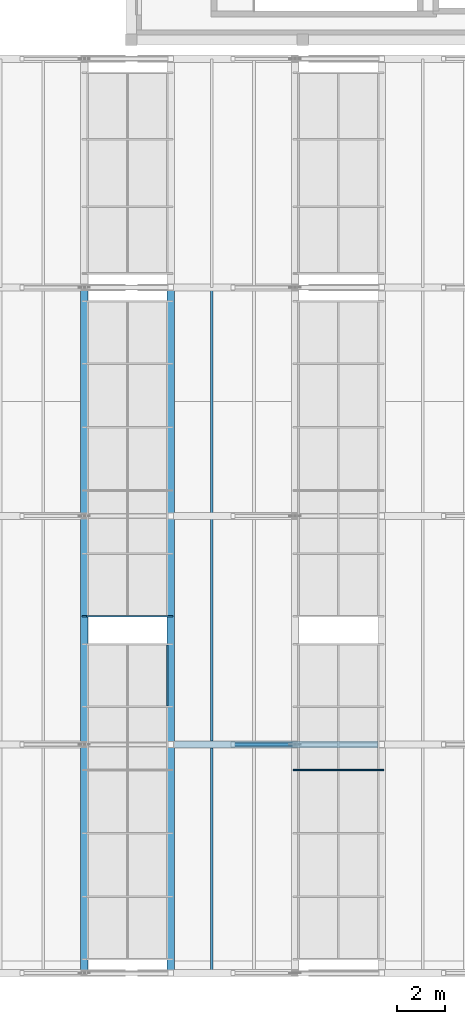
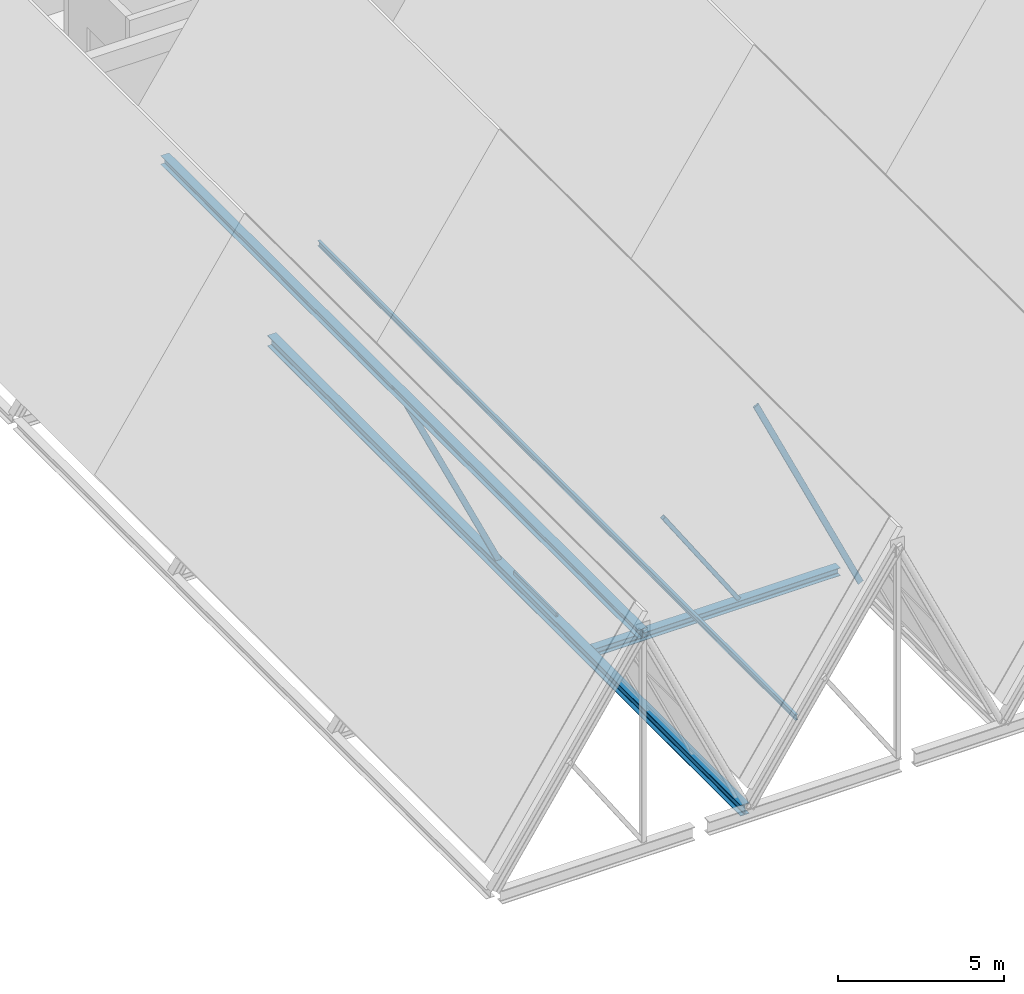
# One storey, part 40 of 99: 6 members, 2 beams, 3 elements without a shape of their own.
"""IFC4 building model written with IfcOpenShell, lengths in metres."""

import ifcopenshell
import ifcopenshell.guid

model = None  # the IFC model being written
_history = None  # IfcOwnerHistory: only IFC2X3 demands one
_inside = {}  # id of a spatial element -> (the spatial element, [elements in it])
_under = {}  # id of a project, library or spatial element -> (it, [spatial elements below it])
_declared = {}  # id of a project -> (the project, [libraries it declares])
_typed = {}  # id of a type object -> (the type object, [elements of that type])
_made_of = {}  # id of a material, layer set ... -> (it, [elements and type objects made of it])


def new_model(schema):
    """Start an empty IFC model of exactly this schema.

    Asked for "IFC4X3", IfcOpenShell would pick the latest addendum, in which some entities
    have other attributes; the version numbers below select the first issue.
    IFC2X3 requires an IfcOwnerHistory on every rooted entity: one is made here for all.
    """
    global model, _history
    if schema == "IFC4X3":
        model = ifcopenshell.file(schema_version=(4, 3, 0, 0))
    else:
        model = ifcopenshell.file(schema=schema)
    _inside.clear()
    _under.clear()
    _declared.clear()
    _typed.clear()
    _made_of.clear()
    _history = None
    if model.schema == "IFC2X3":
        org = make("IfcOrganization", Name="unknown")
        user = make(
            "IfcPersonAndOrganization",
            ThePerson=make("IfcPerson", FamilyName="unknown"),
            TheOrganization=org,
        )
        app = make(
            "IfcApplication",
            ApplicationDeveloper=org,
            Version="unknown",
            ApplicationFullName="unknown",
            ApplicationIdentifier="unknown",
        )
        _history = make(
            "IfcOwnerHistory",
            OwningUser=user,
            OwningApplication=app,
            ChangeAction="ADDED",
            CreationDate=0,
        )
    return model


def make(cls, **values):
    """One entity of the class cls with the attributes given. An attribute that is None is left unset."""
    return model.create_entity(
        cls, **{name: value for name, value in values.items() if value is not None}
    )


def rooted(cls, **values):
    """An entity with a GlobalId (a new one), such as an element, a storey or a relation."""
    return make(cls, GlobalId=ifcopenshell.guid.new(), OwnerHistory=_history, **values)


def si_unit(unit_type, name, prefix=None):
    """IfcSIUnit, for example si_unit("LENGTHUNIT", "METRE", prefix="MILLI")."""
    return make("IfcSIUnit", UnitType=unit_type, Prefix=prefix, Name=name)


def assignment(units):
    """IfcUnitAssignment: the units of a project."""
    return None if units is None else make("IfcUnitAssignment", Units=units)


def point(xyz):
    """IfcCartesianPoint."""
    return None if xyz is None else make("IfcCartesianPoint", Coordinates=xyz)


def direction(xyz):
    """IfcDirection."""
    return None if xyz is None else make("IfcDirection", DirectionRatios=xyz)


def frame(location, z_axis=None, x_axis=None):
    """IfcAxis2Placement3D, a coordinate frame: its origin and axes. An axis left out is left unset."""
    return make(
        "IfcAxis2Placement3D",
        Location=point(location),
        Axis=direction(z_axis),
        RefDirection=direction(x_axis),
    )


def frame_2d(location, x_axis=None):
    """IfcAxis2Placement2D, a coordinate frame in the plane: its origin and x axis."""
    return make(
        "IfcAxis2Placement2D", Location=point(location), RefDirection=direction(x_axis)
    )


def origin():
    """The frame at (0, 0, 0) with its axes left unset."""
    return frame((0.0, 0.0, 0.0))


def origin_2d():
    """The frame at (0, 0) in the plane with its x axis left unset."""
    return frame_2d((0.0, 0.0))


def place(relative_to, where):
    """IfcLocalPlacement: puts the frame where relative to a parent placement (None: the world)."""
    return make(
        "IfcLocalPlacement", PlacementRelTo=relative_to, RelativePlacement=where
    )


def context(
    kind, dimensions, precision=None, world=None, true_north=None, identifier=None
):
    """IfcGeometricRepresentationContext, for example the 3D "Model" context."""
    return make(
        "IfcGeometricRepresentationContext",
        ContextIdentifier=identifier,
        ContextType=kind,
        CoordinateSpaceDimension=dimensions,
        Precision=precision,
        WorldCoordinateSystem=world,
        TrueNorth=true_north,
    )


def subcontext(parent, identifier, kind, view, scale=None):
    """IfcGeometricRepresentationSubContext, for example "Body" below "Model"."""
    return make(
        "IfcGeometricRepresentationSubContext",
        ContextIdentifier=identifier,
        ContextType=kind,
        ParentContext=parent,
        TargetScale=scale,
        TargetView=view,
    )


def project(units=None, contexts=None):
    """IfcProject with its units and contexts."""
    return rooted(
        "IfcProject",
        Name="project",
        RepresentationContexts=contexts,
        UnitsInContext=assignment(units),
    )


def spatial(cls, under=None, at=None, **own):
    """A site, building, storey or space (cls), placed at a placement, below another one or the project."""
    s = rooted(cls, ObjectPlacement=at, **own)
    if under is not None:
        _under.setdefault(under.id(), (under, []))[1].append(s)
    return s


def profile(cls, at=None, kind="AREA", **sizes):
    """A parametric profile (cls). Its sizes go by their IFC names, for example OverallWidth=200.0."""
    return make(cls, ProfileType=kind, Position=at, **sizes)


def hollow_rectangle(**sizes):
    """IfcRectangleHollowProfileDef."""
    return profile("IfcRectangleHollowProfileDef", **sizes)


def i_section(**sizes):
    """IfcIShapeProfileDef."""
    return profile("IfcIShapeProfileDef", **sizes)


def extrude(swept, where, along, depth):
    """IfcExtrudedAreaSolid: the profile swept, set in the frame where, extruded along a direction by depth."""
    return make(
        "IfcExtrudedAreaSolid",
        SweptArea=swept,
        Position=where,
        ExtrudedDirection=direction(along),
        Depth=depth,
    )


def shape(context_of_items, identifier, shape_type, items):
    """IfcShapeRepresentation: the items that make up one representation, for example the "Body"."""
    return make(
        "IfcShapeRepresentation",
        ContextOfItems=context_of_items,
        RepresentationIdentifier=identifier,
        RepresentationType=shape_type,
        Items=items,
    )


def material(Name=None, Category=None):
    """IfcMaterial."""
    return make("IfcMaterial", Name=Name, Category=Category)


def material_profile(
    of_material, cross_section, Name=None, Category=None, Priority=None
):
    """IfcMaterialProfile: a cross section and its material."""
    return make(
        "IfcMaterialProfile",
        Name=Name,
        Material=of_material,
        Profile=cross_section,
        Priority=Priority,
        Category=Category,
    )


def profile_set(profiles, Name=None, composite=None):
    """IfcMaterialProfileSet."""
    return make(
        "IfcMaterialProfileSet",
        Name=Name,
        MaterialProfiles=profiles,
        CompositeProfile=composite,
    )


def made_of(thing, what):
    """Note that an element or type object is made of a material, layer set ...; save() writes the relation."""
    if what is not None:
        _made_of.setdefault(what.id(), (what, []))[1].append(thing)
    return thing


def type_object(cls, material=None, **own):
    """A type object (cls), such as IfcWallType, which elements share."""
    return made_of(rooted(cls, **own), material)


def element(
    cls,
    number,
    at=None,
    inside=None,
    cuts=None,
    type_object=None,
    material=None,
    context=None,
    identifier="Body",
    shape_type=None,
    held_by="IfcProductDefinitionShape",
    body=None,
    shapes=None,
    **own,
):
    """One element of the class cls, such as IfcWall. Its Tag is "e" and its number.

    at: its placement. inside: the storey or other place that contains it. cuts: it is an
    opening in that element (IfcRelVoidsElement). A single representation is given by context,
    identifier, shape_type and body (its items); several are given by shapes. held_by: the class
    of the entity that holds the representations. save() writes the other relations.
    """
    e = rooted(cls, Tag="e%d" % number, ObjectPlacement=at, **own)
    if body is not None:
        shapes = [shape(context, identifier, shape_type, body)]
    if shapes is not None:
        e.Representation = make(held_by, Representations=shapes)
    if inside is not None:
        _inside.setdefault(inside.id(), (inside, []))[1].append(e)
    if cuts is not None:
        rooted(
            "IfcRelVoidsElement", RelatingBuildingElement=cuts, RelatedOpeningElement=e
        )
    if type_object is not None:
        _typed.setdefault(type_object.id(), (type_object, []))[1].append(e)
    return made_of(e, material)


def aggregate(whole, parts):
    """IfcRelAggregates: a whole, such as a stair, and the parts it consists of."""
    return rooted("IfcRelAggregates", RelatingObject=whole, RelatedObjects=parts)


def save(model, path):
    """Write the relations noted so far, then the file.

    IfcRelAggregates (storeys below a building ...), IfcRelContainedInSpatialStructure (elements
    in a storey), IfcRelDefinesByType, IfcRelAssociatesMaterial and IfcRelDeclares: one each for
    every whole, place, type object, material and project.
    """
    for whole, parts in _under.values():
        aggregate(whole, parts)
    for where, things in _inside.values():
        rooted(
            "IfcRelContainedInSpatialStructure",
            RelatedElements=things,
            RelatingStructure=where,
        )
    for kind, things in _typed.values():
        rooted("IfcRelDefinesByType", RelatedObjects=things, RelatingType=kind)
    for what, things in _made_of.values():
        rooted("IfcRelAssociatesMaterial", RelatedObjects=things, RelatingMaterial=what)
    for by, libraries in _declared.values():
        rooted("IfcRelDeclares", RelatingContext=by, RelatedDefinitions=libraries)
    model.write(path)


model = new_model("IFC4")

# Units and contexts
model_context = context("Model", 3, precision=1e-05, world=origin(), true_north=direction((0.0, 1.0)))
body_context = subcontext(model_context, "Body", "Model", "MODEL_VIEW")
ifc_project = project(units=[si_unit("LENGTHUNIT", "METRE"), si_unit("AREAUNIT", "SQUARE_METRE"), si_unit("VOLUMEUNIT", "CUBIC_METRE"), si_unit("PLANEANGLEUNIT", "RADIAN"), si_unit("MASSUNIT", "GRAM", prefix="KILO")], contexts=[model_context])

# Site, building, storey
site_placement = place(None, origin())
site = spatial("IfcSite", under=ifc_project, at=site_placement, CompositionType="ELEMENT")
building_placement = place(site_placement, origin())
building = spatial("IfcBuilding", under=site, at=building_placement, Name="Bramveld Media Centre", CompositionType="ELEMENT")
storey_placement = place(building_placement, frame((0.0, 0.0, 13.800048828125)))
storey = spatial("IfcBuildingStorey", under=building, at=storey_placement, Name="L03", CompositionType="ELEMENT", Elevation=13.800048828125)

# Curtain wall, member
ifc_material_1 = material(Name="Thermally broken anodized bronze aluminium unitized curtain wall with solar-control triple glazing", Category="aluminium")
curtain_wall_type = type_object("IfcCurtainWallType", Name="CW-SAW-13300x8606", PredefinedType="NOTDEFINED", material=ifc_material_1)
curtain_wall_1_placement = place(storey_placement, origin())
curtain_wall_1 = element("IfcCurtainWall", 1, at=curtain_wall_1_placement, inside=storey, type_object=curtain_wall_type, Name="V1 sawtooth north-light clerestory B1-S2", PredefinedType="NOTDEFINED")
ifc_material_2 = material(Name="Thermally broken anodized bronze aluminium EN AW-6063 T6 curtain-wall framing", Category="aluminium")
ifc_material_profile_1 = material_profile(ifc_material_2, hollow_rectangle(XDim=0.070068359375, YDim=0.199951171875, WallThickness=0.00439453125, InnerFilletRadius=0.00439453125, OuterFilletRadius=0.009033203125, at=origin_2d()), Name="AL-MULL 70x200")
ifc_profile_set_1 = profile_set([ifc_material_profile_1], Name="Thermally broken anodized bronze aluminium EN AW-6063 T6 curtain-wall framing")
member_type_1 = type_object("IfcMemberType", Name="CW-MULL-SLP", PredefinedType="MULLION", material=ifc_profile_set_1)
member_1_placement = place(storey_placement, frame((132.857177734375, 14.985107421875, -0.02001953125), z_axis=(-0.423956992265, 0.0, 0.90568232218), x_axis=(0.0, -1.0, 0.0)))
member_1 = element("IfcMember", 2, at=member_1_placement, type_object=member_type_1, Name="CW-SA-13386 sloped mullion 1", PredefinedType="MULLION", context=body_context, shape_type="SweptSolid", body=[
    extrude(hollow_rectangle(XDim=0.070068359375, YDim=0.199951171875, WallThickness=0.00439453125, InnerFilletRadius=0.00439453125, OuterFilletRadius=0.009033203125, at=origin_2d()), origin(), (0.0, 0.0, 1.0), 8.5791015625),
])
aggregate(curtain_wall_1, [member_1])

curtain_wall_2_placement = place(storey_placement, origin())
curtain_wall_2 = element("IfcCurtainWall", 3, at=curtain_wall_2_placement, inside=storey, type_object=curtain_wall_type, Name="V1 sawtooth north-light clerestory B2-S1", PredefinedType="NOTDEFINED")
member_2_placement = place(storey_placement, frame((141.71435546875, 8.530029296875, -0.02001953125), z_axis=(-0.423980334249, 0.0, 0.905671395248), x_axis=(0.0, -1.0, 0.0)))
member_2 = element("IfcMember", 4, at=member_2_placement, type_object=member_type_1, Name="CW-SA-13386 sloped mullion 4", PredefinedType="MULLION", context=body_context, shape_type="SweptSolid", body=[
    extrude(hollow_rectangle(XDim=0.070068359375, YDim=0.199951171875, WallThickness=0.00439453125, InnerFilletRadius=0.00439453125, OuterFilletRadius=0.009033203125, at=origin_2d()), origin(), (0.0, 0.0, 1.0), 8.579345703125),
])
aggregate(curtain_wall_2, [member_2])

curtain_wall_3_placement = place(storey_placement, origin())
curtain_wall_3 = element("IfcCurtainWall", 5, at=curtain_wall_3_placement, inside=storey, type_object=curtain_wall_type, Name="V1 sawtooth north-light clerestory B1-S1", PredefinedType="NOTDEFINED")
ifc_material_3 = material(Name="Thermally broken anodized bronze aluminium EN AW-6063 T6 curtain-wall framing", Category="aluminium")
ifc_material_profile_2 = material_profile(ifc_material_3, hollow_rectangle(XDim=0.070068359375, YDim=0.14990234375, WallThickness=0.00390625, InnerFilletRadius=0.00390625, OuterFilletRadius=0.008056640625, at=origin_2d()), Name="AL-TRAN 70x150")
ifc_profile_set_2 = profile_set([ifc_material_profile_2], Name="Thermally broken anodized bronze aluminium EN AW-6063 T6 curtain-wall framing")
member_type_2 = type_object("IfcMemberType", Name="CW-TRAN-SLP", PredefinedType="USERDEFINED", material=ifc_profile_set_2)
member_3_placement = place(storey_placement, frame((132.711669921875, 11.22509765625, 0.290771484375), z_axis=(0.0, 1.0, 0.0), x_axis=(-1.0, 0.0, 0.0)))
member_3 = element("IfcMember", 6, at=member_3_placement, type_object=member_type_2, Name="CW-SA-13386 transom 5.1", ObjectType="TRANSOM", PredefinedType="USERDEFINED", context=body_context, shape_type="SweptSolid", body=[
    extrude(hollow_rectangle(XDim=0.070068359375, YDim=0.14990234375, WallThickness=0.00390625, InnerFilletRadius=0.00390625, OuterFilletRadius=0.008056640625, at=origin_2d()), origin(), (0.0, 0.0, 1.0), 2.554931640625),
])
aggregate(curtain_wall_3, [member_3])

# Members
ifc_material_4 = material(Name="Steel S355J2H", Category="steel")
ifc_material_profile_3 = material_profile(ifc_material_4, hollow_rectangle(XDim=0.14990234375, YDim=0.14990234375, WallThickness=0.010009765625, InnerFilletRadius=0.010009765625, OuterFilletRadius=0.02001953125, at=origin_2d()), Name="SHS 150x150x10")
ifc_profile_set_3 = profile_set([ifc_material_profile_3], Name="Steel S355J2H")
member_type_3 = type_object("IfcMemberType", Name="MEM-BRACE-SHS150", PredefinedType="BRACE", material=ifc_profile_set_3)
member_4_placement = place(storey_placement, frame((138.076904296875, 9.60009765625, 0.0), z_axis=(-0.55616408489, 0.0, 0.83107250627), x_axis=(0.0, -1.0, 0.0)))
element("IfcMember", 7, at=member_4_placement, inside=storey, type_object=member_type_3, Name="TRUSS-V1-B02-F2 web diagonal", PredefinedType="BRACE", context=body_context, shape_type="SweptSolid", body=[
    extrude(hollow_rectangle(XDim=0.14990234375, YDim=0.14990234375, WallThickness=0.010009765625, InnerFilletRadius=0.010009765625, OuterFilletRadius=0.02001953125, at=origin_2d()), origin(), (0.0, 0.0, 1.0), 4.692626953125),
])
ifc_material_5 = material(Name="Steel S355J2", Category="steel")
ifc_material_profile_4 = material_profile(ifc_material_5, i_section(OverallWidth=0.300048828125, OverallDepth=0.2900390625, WebThickness=0.008544921875, FlangeThickness=0.013916015625, FilletRadius=0.027099609375, at=origin_2d()), Name="HEA 300")
ifc_profile_set_4 = profile_set([ifc_material_profile_4], Name="Steel S355J2")
member_type_4 = type_object("IfcMemberType", Name="MEM-CHORD-HEA300", PredefinedType="CHORD", material=ifc_profile_set_4)
member_5_placement = place(storey_placement, frame((133.01708984375, 9.60009765625, -0.14501953125), z_axis=(1.0, 0.0, 0.0), x_axis=(0.0, 1.0, 0.0)))
element("IfcMember", 8, at=member_5_placement, inside=storey, type_object=member_type_4, Name="TRUSS-V1-B02-F2 bottom tie chord", PredefinedType="CHORD", context=body_context, shape_type="SweptSolid", body=[
    extrude(i_section(OverallWidth=0.300048828125, OverallDepth=0.2900390625, WebThickness=0.008544921875, FlangeThickness=0.013916015625, FilletRadius=0.027099609375, at=origin_2d()), origin(), (0.0, 0.0, 1.0), 8.537109375),
])
ifc_material_6 = material(Name="Steel S355J2", Category="steel")
ifc_material_profile_5 = material_profile(ifc_material_6, i_section(OverallWidth=0.10009765625, OverallDepth=0.199951171875, WebThickness=0.005615234375, FlangeThickness=0.008544921875, FilletRadius=0.011962890625, at=origin_2d()), Name="IPE 200")
ifc_profile_set_5 = profile_set([ifc_material_profile_5], Name="Steel S355J2")
member_type_5 = type_object("IfcMemberType", Name="MEM-PURLIN-IPE200", PredefinedType="PURLIN", material=ifc_profile_set_5)
member_6_placement = place(storey_placement, frame((134.57958984375, 0.0, 2.666259765625), z_axis=(0.0, 1.0, 0.0), x_axis=(-1.0, 0.0, 0.0)))
element("IfcMember", 9, at=member_6_placement, inside=storey, type_object=member_type_5, Name="V1 roof purlin", PredefinedType="PURLIN", context=body_context, shape_type="SweptSolid", body=[
    extrude(i_section(OverallWidth=0.10009765625, OverallDepth=0.199951171875, WebThickness=0.005615234375, FlangeThickness=0.008544921875, FilletRadius=0.011962890625, at=origin_2d()), origin(), (0.0, 0.0, 1.0), 28.800048828125),
])

# Beams
ifc_material_7 = material(Name="Steel S355J2", Category="steel")
ifc_material_profile_6 = material_profile(ifc_material_7, i_section(OverallWidth=0.300048828125, OverallDepth=0.330078125, WebThickness=0.009521484375, FlangeThickness=0.0166015625, FilletRadius=0.027099609375, at=origin_2d()), Name="HEA 340")
ifc_profile_set_6 = profile_set([ifc_material_profile_6], Name="Steel S355J2")
beam_type_1 = type_object("IfcBeamType", Name="SBM-INT-HEA-340", PredefinedType="BEAM", material=ifc_profile_set_6)
beam_1_placement = place(storey_placement, frame((129.219970703125, 0.0, 7.635009765625), z_axis=(0.0, 1.0, 0.0), x_axis=(-1.0, 0.0, 0.0)))
element("IfcBeam", 10, at=beam_1_placement, inside=storey, type_object=beam_type_1, Name="V1 ridge spine beam", PredefinedType="BEAM", context=body_context, shape_type="SweptSolid", body=[
    extrude(i_section(OverallWidth=0.300048828125, OverallDepth=0.330078125, WebThickness=0.009521484375, FlangeThickness=0.0166015625, FilletRadius=0.027099609375, at=origin_2d()), origin(), (0.0, 0.0, 1.0), 28.800048828125),
])
ifc_material_8 = material(Name="Steel S355J2", Category="steel")
ifc_material_profile_7 = material_profile(ifc_material_8, i_section(OverallWidth=0.300048828125, OverallDepth=0.39990234375, WebThickness=0.013427734375, FlangeThickness=0.02392578125, FilletRadius=0.027099609375, at=origin_2d()), Name="HEB 400")
ifc_profile_set_7 = profile_set([ifc_material_profile_7], Name="Steel S355J2")
beam_type_2 = type_object("IfcBeamType", Name="SBM-INT-HEB-400", PredefinedType="BEAM", material=ifc_profile_set_7)
beam_2_placement = place(storey_placement, frame((132.857177734375, 0.139892578125, -0.199951171875), z_axis=(0.0, 1.0, 0.0), x_axis=(-1.0, 0.0, 0.0)))
element("IfcBeam", 11, at=beam_2_placement, inside=storey, type_object=beam_type_2, Name="V1 valley spine girder 1", PredefinedType="BEAM", context=body_context, shape_type="SweptSolid", body=[
    extrude(i_section(OverallWidth=0.300048828125, OverallDepth=0.39990234375, WebThickness=0.013427734375, FlangeThickness=0.02392578125, FilletRadius=0.027099609375, at=origin_2d()), origin(), (0.0, 0.0, 1.0), 28.52001953125),
])

save(model, "model.ifc")
